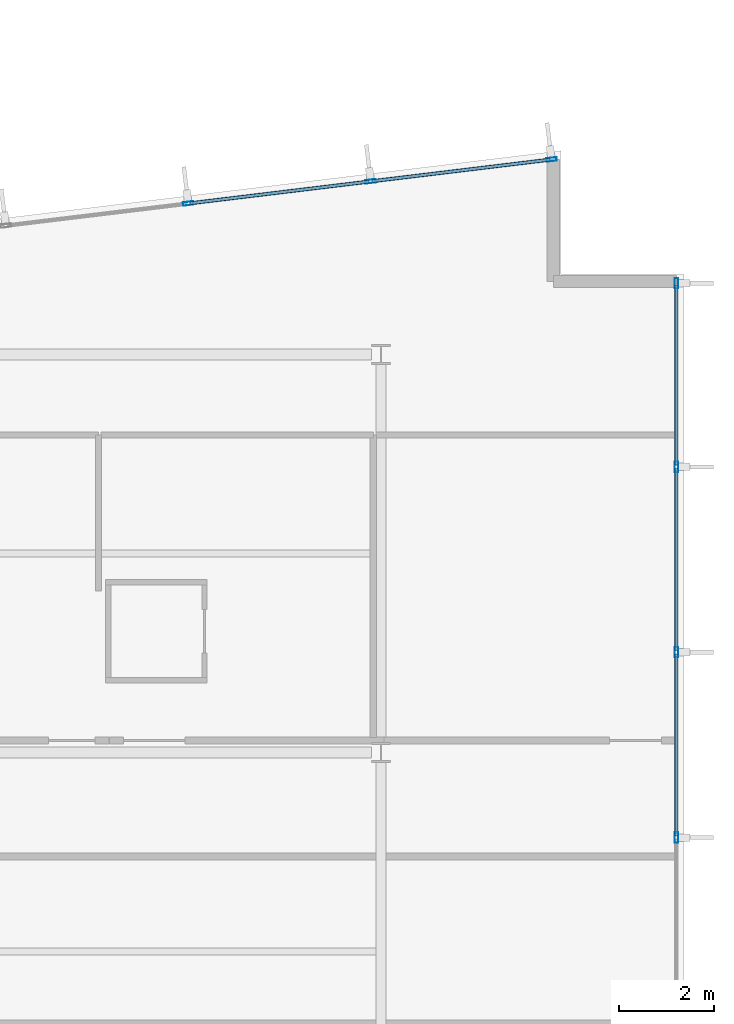
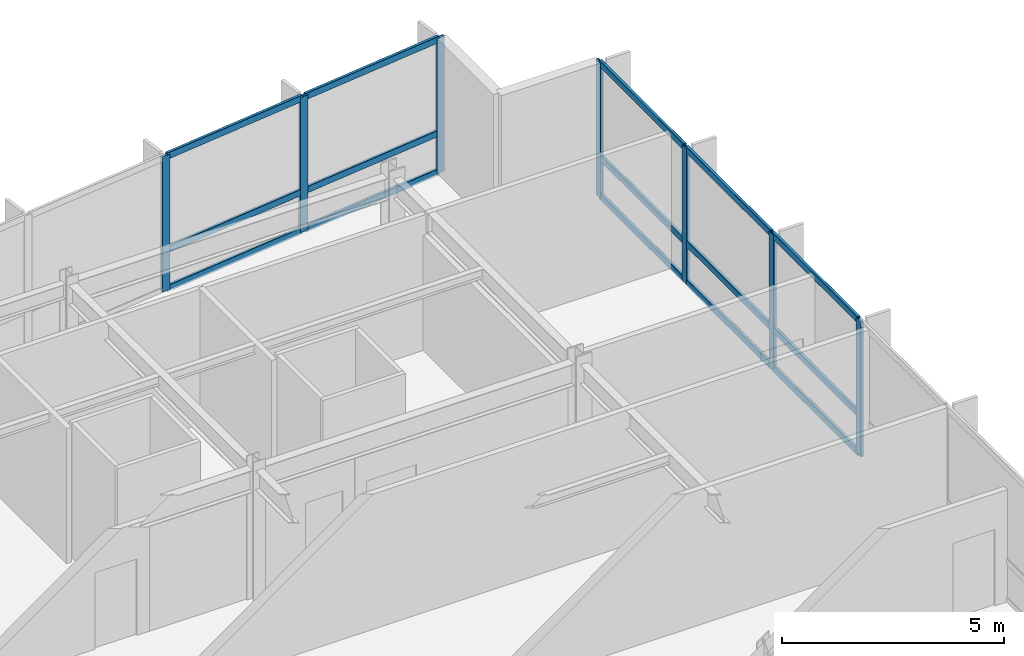
# One storey, part 8 of 18: 22 members, 2 elements without a shape of their own.
"""IFC4 building model written with IfcOpenShell, lengths in metres."""

from ifc_helpers import new_model, si_unit, direction, frame, origin, origin_2d, place, context, subcontext, project, spatial, hollow_rectangle, extrude, material, layer, layer_set, material_profile, profile_set, type_object, element, aggregate, save


model = new_model("IFC4")

# Units and contexts
model_context = context("Model", 3, precision=1e-05, world=origin(), true_north=direction((0.0, 1.0)))
body_context = subcontext(model_context, "Body", "Model", "MODEL_VIEW")
ifc_project = project(units=[si_unit("LENGTHUNIT", "METRE"), si_unit("AREAUNIT", "SQUARE_METRE"), si_unit("VOLUMEUNIT", "CUBIC_METRE"), si_unit("PLANEANGLEUNIT", "RADIAN"), si_unit("MASSUNIT", "GRAM", prefix="KILO")], contexts=[model_context])

# Site, building, storey
site_placement = place(None, origin())
site = spatial("IfcSite", under=ifc_project, at=site_placement, CompositionType="ELEMENT")
building_placement = place(site_placement, origin())
building = spatial("IfcBuilding", under=site, at=building_placement, Name="Varnakote Quay Hospital", CompositionType="ELEMENT")
storey_placement = place(building_placement, frame((0.0, 0.0, 138.89990234375)))
storey = spatial("IfcBuildingStorey", under=building, at=storey_placement, Name="L34", CompositionType="ELEMENT", Elevation=138.89990234375)

# Curtain wall, members
ifc_material_1 = material(Name="Anodised aluminium 6063-T6 Bronze", Category="aluminium")
ifc_layer = layer(ifc_material_1, 0.205078125)
ifc_layer_set = layer_set([ifc_layer], Name="Anodised aluminium 6063-T6 Bronze")
curtain_wall_type = type_object("IfcCurtainWallType", Name="CW-SYS-3", PredefinedType="NOTDEFINED", material=ifc_layer_set)
curtain_wall_1_placement = place(storey_placement, origin())
curtain_wall_1 = element("IfcCurtainWall", 1, at=curtain_wall_1_placement, inside=storey, type_object=curtain_wall_type, Name="L34 Unitised Bronze Curtain Wall 1", PredefinedType="NOTDEFINED")
ifc_material_2 = material(Name="Anodised aluminium 6063-T6 Bronze", Category="aluminium")
ifc_material_profile_1 = material_profile(ifc_material_2, hollow_rectangle(XDim=0.074951171875, YDim=0.219970703125, WallThickness=0.00439453125, InnerFilletRadius=0.00439453125, OuterFilletRadius=0.009033203125, at=origin_2d()), Name="CW-MULL-220x75")
ifc_profile_set_1 = profile_set([ifc_material_profile_1], Name="Anodised aluminium 6063-T6 Bronze")
member_type_1 = type_object("IfcMemberType", Name="CW-MULL-220x75", PredefinedType="MULLION", material=ifc_profile_set_1)
member_1_placement = place(storey_placement, frame((56.639892578125, 18.60009765625, 0.0), z_axis=(0.0, 0.0, 1.0), x_axis=(-1.0, 0.0, 0.0)))
member_1 = element("IfcMember", 2, at=member_1_placement, type_object=member_type_1, Name="-3-L34-1 mullion 4", PredefinedType="MULLION", context=body_context, shape_type="SweptSolid", body=[
    extrude(hollow_rectangle(XDim=0.074951171875, YDim=0.219970703125, WallThickness=0.00439453125, InnerFilletRadius=0.00439453125, OuterFilletRadius=0.009033203125, at=origin_2d()), origin(), (0.0, 0.0, 1.0), 3.710205078125),
])
member_2_placement = place(storey_placement, frame((56.639892578125, 22.513427734375, 0.0), z_axis=(0.0, 0.0, 1.0), x_axis=(-1.0, 0.0, 0.0)))
member_2 = element("IfcMember", 3, at=member_2_placement, type_object=member_type_1, Name="-3-L34-1 mullion 5", PredefinedType="MULLION", context=body_context, shape_type="SweptSolid", body=[
    extrude(hollow_rectangle(XDim=0.074951171875, YDim=0.219970703125, WallThickness=0.00439453125, InnerFilletRadius=0.00439453125, OuterFilletRadius=0.009033203125, at=origin_2d()), origin(), (0.0, 0.0, 1.0), 3.710205078125),
])
member_3_placement = place(storey_placement, frame((56.639892578125, 26.4267578125, 0.0), z_axis=(0.0, 0.0, 1.0), x_axis=(-1.0, 0.0, 0.0)))
member_3 = element("IfcMember", 4, at=member_3_placement, type_object=member_type_1, Name="-3-L34-1 mullion 6", PredefinedType="MULLION", context=body_context, shape_type="SweptSolid", body=[
    extrude(hollow_rectangle(XDim=0.074951171875, YDim=0.219970703125, WallThickness=0.00439453125, InnerFilletRadius=0.00439453125, OuterFilletRadius=0.009033203125, at=origin_2d()), origin(), (0.0, 0.0, 1.0), 3.710205078125),
])
member_4_placement = place(storey_placement, frame((56.639892578125, 30.302490234375, 0.0), z_axis=(0.0, 0.0, 1.0), x_axis=(-1.0, 0.0, 0.0)))
member_4 = element("IfcMember", 5, at=member_4_placement, type_object=member_type_1, Name="-3-L34-1 mullion 7", PredefinedType="MULLION", context=body_context, shape_type="SweptSolid", body=[
    extrude(hollow_rectangle(XDim=0.074951171875, YDim=0.219970703125, WallThickness=0.00439453125, InnerFilletRadius=0.00439453125, OuterFilletRadius=0.009033203125, at=origin_2d()), origin(), (0.0, 0.0, 1.0), 3.710205078125),
])

curtain_wall_2_placement = place(storey_placement, origin())
curtain_wall_2 = element("IfcCurtainWall", 6, at=curtain_wall_2_placement, inside=storey, type_object=curtain_wall_type, Name="L34 Unitised Bronze Curtain Wall 2", PredefinedType="NOTDEFINED")
member_5_placement = place(storey_placement, frame((54.002685546875, 32.914794921875, 0.0), z_axis=(0.0, 0.0, 1.0), x_axis=(0.12032713492, -0.992734295067, 0.0)))
member_5 = element("IfcMember", 7, at=member_5_placement, type_object=member_type_1, Name="-3-L34-2 mullion 1", PredefinedType="MULLION", context=body_context, shape_type="SweptSolid", body=[
    extrude(hollow_rectangle(XDim=0.074951171875, YDim=0.219970703125, WallThickness=0.00439453125, InnerFilletRadius=0.00439453125, OuterFilletRadius=0.009033203125, at=origin_2d()), origin(), (0.0, 0.0, 1.0), 3.710205078125),
])
member_6_placement = place(storey_placement, frame((50.1875, 32.452392578125, 0.0), z_axis=(0.0, 0.0, 1.0), x_axis=(0.12032713492, -0.992734295067, 0.0)))
member_6 = element("IfcMember", 8, at=member_6_placement, type_object=member_type_1, Name="-3-L34-2 mullion 2", PredefinedType="MULLION", context=body_context, shape_type="SweptSolid", body=[
    extrude(hollow_rectangle(XDim=0.074951171875, YDim=0.219970703125, WallThickness=0.00439453125, InnerFilletRadius=0.00439453125, OuterFilletRadius=0.009033203125, at=origin_2d()), origin(), (0.0, 0.0, 1.0), 3.710205078125),
])
member_7_placement = place(storey_placement, frame((46.3349609375, 31.985595703125, 0.0), z_axis=(0.0, 0.0, 1.0), x_axis=(0.12032713492, -0.992734295067, 0.0)))
member_7 = element("IfcMember", 9, at=member_7_placement, type_object=member_type_1, Name="-3-L34-2 mullion 3", PredefinedType="MULLION", context=body_context, shape_type="SweptSolid", body=[
    extrude(hollow_rectangle(XDim=0.074951171875, YDim=0.219970703125, WallThickness=0.00439453125, InnerFilletRadius=0.00439453125, OuterFilletRadius=0.009033203125, at=origin_2d()), origin(), (0.0, 0.0, 1.0), 3.710205078125),
])

# Member
ifc_material_3 = material(Name="Anodised aluminium 6063-T6 Bronze", Category="aluminium")
ifc_material_profile_2 = material_profile(ifc_material_3, hollow_rectangle(XDim=0.074951171875, YDim=0.179931640625, WallThickness=0.004150390625, InnerFilletRadius=0.004150390625, OuterFilletRadius=0.00830078125, at=origin_2d()), Name="CW-TRAN-180x75")
ifc_profile_set_2 = profile_set([ifc_material_profile_2], Name="Anodised aluminium 6063-T6 Bronze")
member_type_2 = type_object("IfcMemberType", Name="CW-TRAN-180x75", PredefinedType="USERDEFINED", material=ifc_profile_set_2)
member_8_placement = place(storey_placement, frame((56.639892578125, 18.637451171875, 0.03759765625), z_axis=(0.0, 1.0, 0.0), x_axis=(-1.0, 0.0, 0.0)))
member_8 = element("IfcMember", 10, at=member_8_placement, type_object=member_type_2, Name="-3-L34-1 transom 4.1", ObjectType="TRANSOM", PredefinedType="USERDEFINED", context=body_context, shape_type="SweptSolid", body=[
    extrude(hollow_rectangle(XDim=0.074951171875, YDim=0.179931640625, WallThickness=0.004150390625, InnerFilletRadius=0.004150390625, OuterFilletRadius=0.00830078125, at=origin_2d()), origin(), (0.0, 0.0, 1.0), 3.83837890625),
])

member_9_placement = place(storey_placement, frame((56.639892578125, 18.637451171875, 1.10009765625), z_axis=(0.0, 1.0, 0.0), x_axis=(-1.0, 0.0, 0.0)))
member_9 = element("IfcMember", 11, at=member_9_placement, type_object=member_type_2, Name="-3-L34-1 transom 4.2", ObjectType="TRANSOM", PredefinedType="USERDEFINED", context=body_context, shape_type="SweptSolid", body=[
    extrude(hollow_rectangle(XDim=0.074951171875, YDim=0.179931640625, WallThickness=0.004150390625, InnerFilletRadius=0.004150390625, OuterFilletRadius=0.00830078125, at=origin_2d()), origin(), (0.0, 0.0, 1.0), 3.83837890625),
])

member_10_placement = place(storey_placement, frame((56.639892578125, 18.637451171875, 3.672607421875), z_axis=(0.0, 1.0, 0.0), x_axis=(-1.0, 0.0, 0.0)))
member_10 = element("IfcMember", 12, at=member_10_placement, type_object=member_type_2, Name="-3-L34-1 transom 4.3", ObjectType="TRANSOM", PredefinedType="USERDEFINED", context=body_context, shape_type="SweptSolid", body=[
    extrude(hollow_rectangle(XDim=0.074951171875, YDim=0.179931640625, WallThickness=0.004150390625, InnerFilletRadius=0.004150390625, OuterFilletRadius=0.00830078125, at=origin_2d()), origin(), (0.0, 0.0, 1.0), 3.83837890625),
])

member_11_placement = place(storey_placement, frame((56.639892578125, 22.55078125, 0.03759765625), z_axis=(0.0, 1.0, 0.0), x_axis=(-1.0, 0.0, 0.0)))
member_11 = element("IfcMember", 13, at=member_11_placement, type_object=member_type_2, Name="-3-L34-1 transom 5.1", ObjectType="TRANSOM", PredefinedType="USERDEFINED", context=body_context, shape_type="SweptSolid", body=[
    extrude(hollow_rectangle(XDim=0.074951171875, YDim=0.179931640625, WallThickness=0.004150390625, InnerFilletRadius=0.004150390625, OuterFilletRadius=0.00830078125, at=origin_2d()), origin(), (0.0, 0.0, 1.0), 3.83837890625),
])

member_12_placement = place(storey_placement, frame((56.639892578125, 22.55078125, 1.10009765625), z_axis=(0.0, 1.0, 0.0), x_axis=(-1.0, 0.0, 0.0)))
member_12 = element("IfcMember", 14, at=member_12_placement, type_object=member_type_2, Name="-3-L34-1 transom 5.2", ObjectType="TRANSOM", PredefinedType="USERDEFINED", context=body_context, shape_type="SweptSolid", body=[
    extrude(hollow_rectangle(XDim=0.074951171875, YDim=0.179931640625, WallThickness=0.004150390625, InnerFilletRadius=0.004150390625, OuterFilletRadius=0.00830078125, at=origin_2d()), origin(), (0.0, 0.0, 1.0), 3.83837890625),
])

member_13_placement = place(storey_placement, frame((56.639892578125, 22.55078125, 3.672607421875), z_axis=(0.0, 1.0, 0.0), x_axis=(-1.0, 0.0, 0.0)))
member_13 = element("IfcMember", 15, at=member_13_placement, type_object=member_type_2, Name="-3-L34-1 transom 5.3", ObjectType="TRANSOM", PredefinedType="USERDEFINED", context=body_context, shape_type="SweptSolid", body=[
    extrude(hollow_rectangle(XDim=0.074951171875, YDim=0.179931640625, WallThickness=0.004150390625, InnerFilletRadius=0.004150390625, OuterFilletRadius=0.00830078125, at=origin_2d()), origin(), (0.0, 0.0, 1.0), 3.83837890625),
])

member_14_placement = place(storey_placement, frame((56.639892578125, 26.464111328125, 0.03759765625), z_axis=(0.0, 1.0, 0.0), x_axis=(-1.0, 0.0, 0.0)))
member_14 = element("IfcMember", 16, at=member_14_placement, type_object=member_type_2, Name="-3-L34-1 transom 6.1", ObjectType="TRANSOM", PredefinedType="USERDEFINED", context=body_context, shape_type="SweptSolid", body=[
    extrude(hollow_rectangle(XDim=0.074951171875, YDim=0.179931640625, WallThickness=0.004150390625, InnerFilletRadius=0.004150390625, OuterFilletRadius=0.00830078125, at=origin_2d()), origin(), (0.0, 0.0, 1.0), 3.80078125),
])

member_15_placement = place(storey_placement, frame((56.639892578125, 26.464111328125, 1.10009765625), z_axis=(0.0, 1.0, 0.0), x_axis=(-1.0, 0.0, 0.0)))
member_15 = element("IfcMember", 17, at=member_15_placement, type_object=member_type_2, Name="-3-L34-1 transom 6.2", ObjectType="TRANSOM", PredefinedType="USERDEFINED", context=body_context, shape_type="SweptSolid", body=[
    extrude(hollow_rectangle(XDim=0.074951171875, YDim=0.179931640625, WallThickness=0.004150390625, InnerFilletRadius=0.004150390625, OuterFilletRadius=0.00830078125, at=origin_2d()), origin(), (0.0, 0.0, 1.0), 3.80078125),
])

member_16_placement = place(storey_placement, frame((56.639892578125, 26.464111328125, 3.672607421875), z_axis=(0.0, 1.0, 0.0), x_axis=(-1.0, 0.0, 0.0)))
member_16 = element("IfcMember", 18, at=member_16_placement, type_object=member_type_2, Name="-3-L34-1 transom 6.3", ObjectType="TRANSOM", PredefinedType="USERDEFINED", context=body_context, shape_type="SweptSolid", body=[
    extrude(hollow_rectangle(XDim=0.074951171875, YDim=0.179931640625, WallThickness=0.004150390625, InnerFilletRadius=0.004150390625, OuterFilletRadius=0.00830078125, at=origin_2d()), origin(), (0.0, 0.0, 1.0), 3.80078125),
])

aggregate(curtain_wall_1, [member_1, member_2, member_3, member_4, member_8, member_9, member_10, member_11, member_12, member_13, member_14, member_15, member_16])

member_17_placement = place(storey_placement, frame((53.965576171875, 32.910400390625, 0.03759765625), z_axis=(-0.992735423717, -0.120317822859, 0.0), x_axis=(0.120317822859, -0.992735423717, 0.0)))
member_17 = element("IfcMember", 19, at=member_17_placement, type_object=member_type_2, Name="-3-L34-2 transom 1.1", ObjectType="TRANSOM", PredefinedType="USERDEFINED", context=body_context, shape_type="SweptSolid", body=[
    extrude(hollow_rectangle(XDim=0.074951171875, YDim=0.179931640625, WallThickness=0.004150390625, InnerFilletRadius=0.004150390625, OuterFilletRadius=0.00830078125, at=origin_2d()), origin(), (0.0, 0.0, 1.0), 3.76806640625),
])

member_18_placement = place(storey_placement, frame((53.965576171875, 32.910400390625, 1.10009765625), z_axis=(-0.992735423717, -0.120317822859, 0.0), x_axis=(0.120317822859, -0.992735423717, 0.0)))
member_18 = element("IfcMember", 20, at=member_18_placement, type_object=member_type_2, Name="-3-L34-2 transom 1.2", ObjectType="TRANSOM", PredefinedType="USERDEFINED", context=body_context, shape_type="SweptSolid", body=[
    extrude(hollow_rectangle(XDim=0.074951171875, YDim=0.179931640625, WallThickness=0.004150390625, InnerFilletRadius=0.004150390625, OuterFilletRadius=0.00830078125, at=origin_2d()), origin(), (0.0, 0.0, 1.0), 3.76806640625),
])

member_19_placement = place(storey_placement, frame((53.965576171875, 32.910400390625, 3.672607421875), z_axis=(-0.992735423717, -0.120317822859, 0.0), x_axis=(0.120317822859, -0.992735423717, 0.0)))
member_19 = element("IfcMember", 21, at=member_19_placement, type_object=member_type_2, Name="-3-L34-2 transom 1.3", ObjectType="TRANSOM", PredefinedType="USERDEFINED", context=body_context, shape_type="SweptSolid", body=[
    extrude(hollow_rectangle(XDim=0.074951171875, YDim=0.179931640625, WallThickness=0.004150390625, InnerFilletRadius=0.004150390625, OuterFilletRadius=0.00830078125, at=origin_2d()), origin(), (0.0, 0.0, 1.0), 3.76806640625),
])

member_20_placement = place(storey_placement, frame((50.150390625, 32.447998046875, 0.03759765625), z_axis=(-0.992731924158, -0.120346694005, 0.0), x_axis=(0.120346694005, -0.992731924158, 0.0)))
member_20 = element("IfcMember", 22, at=member_20_placement, type_object=member_type_2, Name="-3-L34-2 transom 2.1", ObjectType="TRANSOM", PredefinedType="USERDEFINED", context=body_context, shape_type="SweptSolid", body=[
    extrude(hollow_rectangle(XDim=0.074951171875, YDim=0.179931640625, WallThickness=0.004150390625, InnerFilletRadius=0.004150390625, OuterFilletRadius=0.00830078125, at=origin_2d()), origin(), (0.0, 0.0, 1.0), 3.8056640625),
])

member_21_placement = place(storey_placement, frame((50.150390625, 32.447998046875, 1.10009765625), z_axis=(-0.992731924158, -0.120346694005, 0.0), x_axis=(0.120346694005, -0.992731924158, 0.0)))
member_21 = element("IfcMember", 23, at=member_21_placement, type_object=member_type_2, Name="-3-L34-2 transom 2.2", ObjectType="TRANSOM", PredefinedType="USERDEFINED", context=body_context, shape_type="SweptSolid", body=[
    extrude(hollow_rectangle(XDim=0.074951171875, YDim=0.179931640625, WallThickness=0.004150390625, InnerFilletRadius=0.004150390625, OuterFilletRadius=0.00830078125, at=origin_2d()), origin(), (0.0, 0.0, 1.0), 3.8056640625),
])

member_22_placement = place(storey_placement, frame((50.150390625, 32.447998046875, 3.672607421875), z_axis=(-0.992731924158, -0.120346694005, 0.0), x_axis=(0.120346694005, -0.992731924158, 0.0)))
member_22 = element("IfcMember", 24, at=member_22_placement, type_object=member_type_2, Name="-3-L34-2 transom 2.3", ObjectType="TRANSOM", PredefinedType="USERDEFINED", context=body_context, shape_type="SweptSolid", body=[
    extrude(hollow_rectangle(XDim=0.074951171875, YDim=0.179931640625, WallThickness=0.004150390625, InnerFilletRadius=0.004150390625, OuterFilletRadius=0.00830078125, at=origin_2d()), origin(), (0.0, 0.0, 1.0), 3.8056640625),
])

aggregate(curtain_wall_2, [member_5, member_6, member_7, member_17, member_18, member_19, member_20, member_21, member_22])

save(model, "model.ifc")
